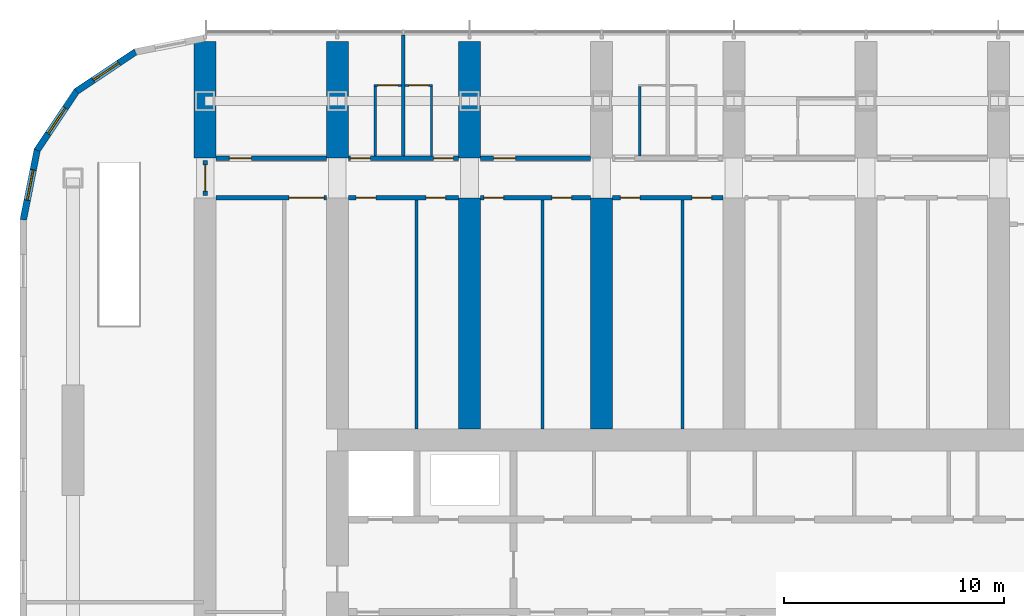
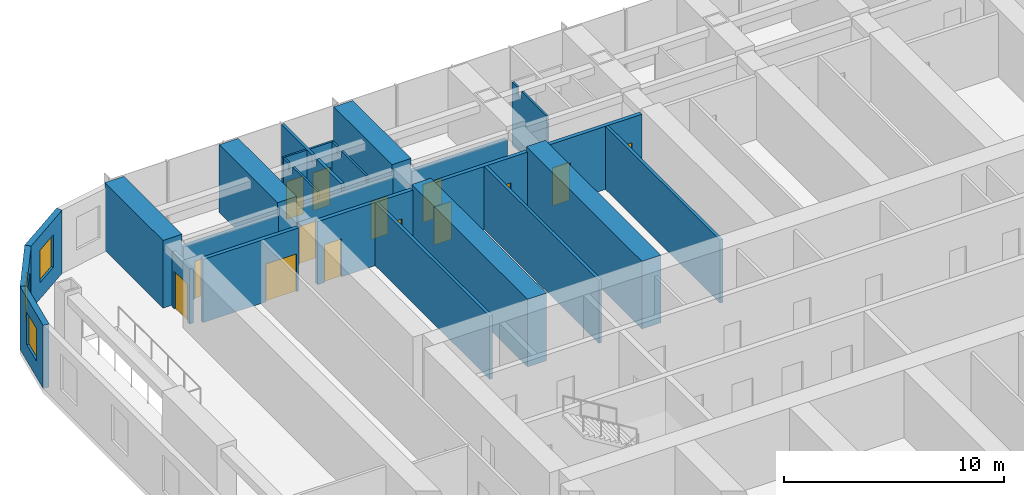
# One storey, part 14 of 22: 25 walls, 14 doors, 3 windows, 17 openings.
"""IFC4 building model written with IfcOpenShell, lengths in metres."""

from ifc_helpers import new_model, si_unit, direction, frame, frame_2d, origin, place, context, subcontext, project, spatial, polyline, rectangle, outline, extrude, material, layer, layer_set, type_object, element, fill, save


model = new_model("IFC4")

# Units and contexts
model_context = context("Model", 3, precision=1e-05, world=origin(), true_north=direction((0.0, 1.0)))
body_context = subcontext(model_context, "Body", "Model", "MODEL_VIEW")
ifc_project = project(units=[si_unit("LENGTHUNIT", "METRE"), si_unit("AREAUNIT", "SQUARE_METRE"), si_unit("VOLUMEUNIT", "CUBIC_METRE"), si_unit("PLANEANGLEUNIT", "RADIAN"), si_unit("MASSUNIT", "GRAM", prefix="KILO")], contexts=[model_context])

# Site, building, storey
site_placement = place(None, origin())
site = spatial("IfcSite", under=ifc_project, at=site_placement, CompositionType="ELEMENT")
building_placement = place(site_placement, origin())
building = spatial("IfcBuilding", under=site, at=building_placement, Name="Orbita Commons", CompositionType="ELEMENT")
storey_placement = place(building_placement, frame((0.0, 0.0, 57.699951171875)))
storey = spatial("IfcBuildingStorey", under=building, at=storey_placement, Name="L14", CompositionType="ELEMENT", Elevation=57.699951171875)

# Wall, opening, door
ifc_material_1 = material(Name="Concrete blockwork", Category="masonry")
ifc_layer_1 = layer(ifc_material_1, 0.199951171875)
ifc_layer_set_1 = layer_set([ifc_layer_1], Name="Concrete blockwork")
wall_type_1 = type_object("IfcWallType", Name="Corridor wall 200 blockwork", PredefinedType="SOLIDWALL", material=ifc_layer_set_1)
wall_1_placement = place(storey_placement, frame((12.5, 51.0, 0.0), z_axis=(0.0, 0.0, 1.0), x_axis=(1.0, 0.0, 0.0)))
wall_1 = element("IfcWall", 1, at=wall_1_placement, inside=storey, type_object=wall_type_1, Name="Corridor wall 200 blockwork L14", PredefinedType="SOLIDWALL", context=body_context, shape_type="SweptSolid", body=[
    extrude(outline(polyline([(0.0, 0.0), (5.0, 0.0), (5.0, 3.10009765625), (0.0, 3.10009765625), (0.0, 0.0)])), frame((0.0, 0.10009765625, 0.0), z_axis=(0.0, -1.0, 0.0), x_axis=(1.0, 0.0, 0.0)), (0.0, 0.0, 1.0), 0.199951171875),
])
opening_1_placement = place(wall_1_placement, frame((0.60009765625, 0.0, 0.0)))
opening_1 = element("IfcOpeningElement", 2, at=opening_1_placement, cuts=wall_1, Name="Opening D06", PredefinedType="OPENING", context=body_context, shape_type="SweptSolid", body=[
    extrude(rectangle(XDim=1.0, YDim=2.10009765625, at=frame_2d((0.5, 1.050048828125))), frame((0.0, 0.10986328125, 0.0), z_axis=(0.0, -1.0, 0.0), x_axis=(1.0, 0.0, 0.0)), (0.0, 0.0, 1.0), 0.219970703125),
])
ifc_material_2 = material(Name="Steel-faced fire door leaf", Category="steel")
door_type_1 = type_object("IfcDoorType", Name="Corridor door 20 min 1000x2100", OperationType="SINGLE_SWING_LEFT", PredefinedType="DOOR", material=ifc_material_2)
door_1_placement = place(opening_1_placement, origin())
door_1 = element("IfcDoor", 3, at=door_1_placement, inside=storey, type_object=door_type_1, Name="House study room L14-N00 door", OperationType="SINGLE_SWING_LEFT", OverallHeight=2.10009765625, OverallWidth=1.0, PredefinedType="DOOR", context=body_context, shape_type="SweptSolid", body=[
    extrude(rectangle(XDim=1.0, YDim=2.10009765625, at=frame_2d((0.5, 1.050048828125))), frame((0.0, 0.02490234375, 0.0), z_axis=(0.0, -1.0, 0.0), x_axis=(1.0, 0.0, 0.0)), (0.0, 0.0, 1.0), 0.050048828125),
])
fill(opening_1, door_1)

# Wall, openings, doors
wall_2_placement = place(storey_placement, frame((18.5, 51.0, 0.0), z_axis=(0.0, 0.0, 1.0), x_axis=(1.0, 0.0, 0.0)))
wall_2 = element("IfcWall", 4, at=wall_2_placement, inside=storey, type_object=wall_type_1, Name="Corridor wall 200 blockwork L14", PredefinedType="SOLIDWALL", context=body_context, shape_type="SweptSolid", body=[
    extrude(outline(polyline([(0.0, 0.0), (5.0, 0.0), (5.0, 3.10009765625), (0.0, 3.10009765625), (0.0, 0.0)])), frame((0.0, 0.10009765625, 0.0), z_axis=(0.0, -1.0, 0.0), x_axis=(1.0, 0.0, 0.0)), (0.0, 0.0, 1.0), 0.199951171875),
])
opening_2_placement = place(wall_2_placement, frame((0.10009765625, 0.0, 0.0)))
opening_2 = element("IfcOpeningElement", 5, at=opening_2_placement, cuts=wall_2, Name="Opening D11", PredefinedType="OPENING", context=body_context, shape_type="SweptSolid", body=[
    extrude(rectangle(XDim=0.89990234375, YDim=2.10009765625, at=frame_2d((0.449951171875, 1.050048828125))), frame((0.0, 0.10986328125, 0.0), z_axis=(0.0, -1.0, 0.0), x_axis=(1.0, 0.0, 0.0)), (0.0, 0.0, 1.0), 0.219970703125),
])
opening_3_placement = place(wall_2_placement, frame((3.875, 0.0, 0.0)))
opening_3 = element("IfcOpeningElement", 6, at=opening_3_placement, cuts=wall_2, Name="Opening D11", PredefinedType="OPENING", context=body_context, shape_type="SweptSolid", body=[
    extrude(rectangle(XDim=0.89990234375, YDim=2.10009765625, at=frame_2d((0.449951171875, 1.050048828125))), frame((0.0, 0.10986328125, 0.0), z_axis=(0.0, -1.0, 0.0), x_axis=(1.0, 0.0, 0.0)), (0.0, 0.0, 1.0), 0.219970703125),
])
ifc_material_3 = material(Name="Steel-faced fire door leaf", Category="steel")
door_type_2 = type_object("IfcDoorType", Name="Corridor door 20 min 900x2100", OperationType="SINGLE_SWING_LEFT", PredefinedType="DOOR", material=ifc_material_3)
door_2_placement = place(opening_2_placement, origin())
door_2 = element("IfcDoor", 7, at=door_2_placement, inside=storey, type_object=door_type_2, Name="House bedroom L14-N02 door", OperationType="SINGLE_SWING_LEFT", OverallHeight=2.10009765625, OverallWidth=0.89990234375, PredefinedType="DOOR", context=body_context, shape_type="SweptSolid", body=[
    extrude(rectangle(XDim=0.89990234375, YDim=2.10009765625, at=frame_2d((0.449951171875, 1.050048828125))), frame((0.0, 0.02490234375, 0.0), z_axis=(0.0, -1.0, 0.0), x_axis=(1.0, 0.0, 0.0)), (0.0, 0.0, 1.0), 0.050048828125),
])
fill(opening_2, door_2)
door_3_placement = place(opening_3_placement, origin())
door_3 = element("IfcDoor", 8, at=door_3_placement, inside=storey, type_object=door_type_2, Name="House bedroom L14-N03 door", OperationType="SINGLE_SWING_LEFT", OverallHeight=2.10009765625, OverallWidth=0.89990234375, PredefinedType="DOOR", context=body_context, shape_type="SweptSolid", body=[
    extrude(rectangle(XDim=0.89990234375, YDim=2.10009765625, at=frame_2d((0.449951171875, 1.050048828125))), frame((0.0, 0.02490234375, 0.0), z_axis=(0.0, -1.0, 0.0), x_axis=(1.0, 0.0, 0.0)), (0.0, 0.0, 1.0), 0.050048828125),
])
fill(opening_3, door_3)

# Wall, opening, door
wall_3_placement = place(storey_placement, frame((24.5, 51.0, 0.0), z_axis=(0.0, 0.0, 1.0), x_axis=(1.0, 0.0, 0.0)))
wall_3 = element("IfcWall", 9, at=wall_3_placement, inside=storey, type_object=wall_type_1, Name="Corridor wall 200 blockwork L14", PredefinedType="SOLIDWALL", context=body_context, shape_type="SweptSolid", body=[
    extrude(outline(polyline([(0.0, 0.0), (5.0, 0.0), (5.0, 3.10009765625), (0.0, 3.10009765625), (0.0, 0.0)])), frame((0.0, 0.10009765625, 0.0), z_axis=(0.0, -1.0, 0.0), x_axis=(1.0, 0.0, 0.0)), (0.0, 0.0, 1.0), 0.199951171875),
])
opening_4_placement = place(wall_3_placement, frame((0.60009765625, 0.0, 0.0)))
opening_4 = element("IfcOpeningElement", 10, at=opening_4_placement, cuts=wall_3, Name="Opening D06", PredefinedType="OPENING", context=body_context, shape_type="SweptSolid", body=[
    extrude(rectangle(XDim=1.0, YDim=2.10009765625, at=frame_2d((0.5, 1.050048828125))), frame((0.0, 0.10986328125, 0.0), z_axis=(0.0, -1.0, 0.0), x_axis=(1.0, 0.0, 0.0)), (0.0, 0.0, 1.0), 0.219970703125),
])
door_4_placement = place(opening_4_placement, origin())
door_4 = element("IfcDoor", 11, at=door_4_placement, inside=storey, type_object=door_type_1, Name="House study room L14-N04 door", OperationType="SINGLE_SWING_LEFT", OverallHeight=2.10009765625, OverallWidth=1.0, PredefinedType="DOOR", context=body_context, shape_type="SweptSolid", body=[
    extrude(rectangle(XDim=1.0, YDim=2.10009765625, at=frame_2d((0.5, 1.050048828125))), frame((0.0, 0.02490234375, 0.0), z_axis=(0.0, -1.0, 0.0), x_axis=(1.0, 0.0, 0.0)), (0.0, 0.0, 1.0), 0.050048828125),
])
fill(opening_4, door_4)

wall_4_placement = place(storey_placement, frame((12.0, 49.300048828125, 0.0), z_axis=(0.0, 0.0, 1.0), x_axis=(0.0, 1.0, 0.0)))
wall_4 = element("IfcWall", 12, at=wall_4_placement, inside=storey, type_object=wall_type_1, Name="Corridor wall 200 blockwork L14", PredefinedType="SOLIDWALL", context=body_context, shape_type="SweptSolid", body=[
    extrude(outline(polyline([(0.0, 0.0), (1.599853515625, 0.0), (1.60009765625, 3.050048828125), (0.0, 3.050048828125), (0.0, 0.0)])), frame((0.0, 0.10009765625, 0.0), z_axis=(0.0, -1.0, 0.0), x_axis=(1.0, 0.0, 0.0)), (0.0, 0.0, 1.0), 0.199951171875),
])
opening_5_placement = place(wall_4_placement, frame((0.199951171875, 0.0, 0.0)))
opening_5 = element("IfcOpeningElement", 13, at=opening_5_placement, cuts=wall_4, Name="Opening D12", PredefinedType="OPENING", context=body_context, shape_type="SweptSolid", body=[
    extrude(rectangle(XDim=1.199951171875, YDim=2.10009765625, at=frame_2d((0.60009765625, 1.050048828125))), frame((0.0, 0.10986328125, 0.0), z_axis=(0.0, -1.0, 0.0), x_axis=(1.0, 0.0, 0.0)), (0.0, 0.0, 1.0), 0.219970703125),
])
ifc_material_4 = material(Name="Steel-faced fire door leaf", Category="steel")
door_type_3 = type_object("IfcDoorType", Name="Double corridor door 20 min 1200x2100", OperationType="DOUBLE_DOOR_SINGLE_SWING", PredefinedType="DOOR", material=ifc_material_4)
door_5_placement = place(opening_5_placement, origin())
door_5 = element("IfcDoor", 14, at=door_5_placement, inside=storey, type_object=door_type_3, Name="Lounge doors", OperationType="DOUBLE_DOOR_SINGLE_SWING", OverallHeight=2.10009765625, OverallWidth=1.199951171875, PredefinedType="DOOR", context=body_context, shape_type="SweptSolid", body=[
    extrude(rectangle(XDim=1.199951171875, YDim=2.10009765625, at=frame_2d((0.60009765625, 1.050048828125))), frame((0.0, 0.02490234375, 0.0), z_axis=(0.0, -1.0, 0.0), x_axis=(1.0, 0.0, 0.0)), (0.0, 0.0, 1.0), 0.050048828125),
])
fill(opening_5, door_5)

ifc_material_5 = material(Name="Hollow concrete block 200", Category="concrete")
ifc_layer_2 = layer(ifc_material_5, 0.199951171875)
ifc_layer_set_2 = layer_set([ifc_layer_2], Name="Hollow concrete block 200")
wall_type_2 = type_object("IfcWallType", Name="Corridor wall 200 hollow concrete block", PredefinedType="SOLIDWALL", material=ifc_layer_set_2)
wall_5_placement = place(storey_placement, frame((12.5, 49.199951171875, 0.0), z_axis=(0.0, 0.0, 1.0), x_axis=(1.0, 0.0, 0.0)))
wall_5 = element("IfcWall", 15, at=wall_5_placement, inside=storey, type_object=wall_type_2, Name="Corridor wall 200 hollow concrete block L14", PredefinedType="SOLIDWALL", context=body_context, shape_type="SweptSolid", body=[
    extrude(rectangle(XDim=5.0, YDim=0.199951171875, at=frame_2d((2.5, 0.0))), origin(), (0.0, 0.0, 1.0), 3.5),
])
opening_6_placement = place(wall_5_placement, frame((3.300048828125, 0.0, 0.0)))
opening_6 = element("IfcOpeningElement", 16, at=opening_6_placement, cuts=wall_5, Name="Opening D10", PredefinedType="OPENING", context=body_context, shape_type="SweptSolid", body=[
    extrude(rectangle(XDim=1.60009765625, YDim=2.10009765625, at=frame_2d((0.800048828125, 1.050048828125))), frame((0.0, 0.10986328125, 0.0), z_axis=(0.0, -1.0, 0.0), x_axis=(1.0, 0.0, 0.0)), (0.0, 0.0, 1.0), 0.219970703125),
])
ifc_material_6 = material(Name="Steel-faced fire door leaf", Category="steel")
door_type_4 = type_object("IfcDoorType", Name="Double corridor door 20 min 1600x2100", OperationType="DOUBLE_DOOR_SINGLE_SWING", PredefinedType="DOOR", material=ifc_material_6)
door_6_placement = place(opening_6_placement, origin())
door_6 = element("IfcDoor", 17, at=door_6_placement, inside=storey, type_object=door_type_4, Name="Cross corridor doors", OperationType="DOUBLE_DOOR_SINGLE_SWING", OverallHeight=2.10009765625, OverallWidth=1.60009765625, PredefinedType="DOOR", context=body_context, shape_type="SweptSolid", body=[
    extrude(rectangle(XDim=1.60009765625, YDim=2.10009765625, at=frame_2d((0.800048828125, 1.050048828125))), frame((0.0, 0.02490234375, 0.0), z_axis=(0.0, -1.0, 0.0), x_axis=(1.0, 0.0, 0.0)), (0.0, 0.0, 1.0), 0.050048828125),
])
fill(opening_6, door_6)

# Wall, openings, doors
wall_6_placement = place(storey_placement, frame((18.5, 49.199951171875, 0.0), z_axis=(0.0, 0.0, 1.0), x_axis=(1.0, 0.0, 0.0)))
wall_6 = element("IfcWall", 18, at=wall_6_placement, inside=storey, type_object=wall_type_2, Name="Corridor wall 200 hollow concrete block L14", PredefinedType="SOLIDWALL", context=body_context, shape_type="SweptSolid", body=[
    extrude(rectangle(XDim=5.0, YDim=0.199951171875, at=frame_2d((2.5, 0.0))), origin(), (0.0, 0.0, 1.0), 3.5),
])
opening_7_placement = place(wall_6_placement, frame((0.35009765625, 0.0, 0.0)))
opening_7 = element("IfcOpeningElement", 19, at=opening_7_placement, cuts=wall_6, Name="Opening D11", PredefinedType="OPENING", context=body_context, shape_type="SweptSolid", body=[
    extrude(rectangle(XDim=0.89990234375, YDim=2.10009765625, at=frame_2d((0.449951171875, 1.050048828125))), frame((0.0, 0.10986328125, 0.0), z_axis=(0.0, -1.0, 0.0), x_axis=(1.0, 0.0, 0.0)), (0.0, 0.0, 1.0), 0.219970703125),
])
opening_8_placement = place(wall_6_placement, frame((3.52001953125, 0.0, 0.0)))
opening_8 = element("IfcOpeningElement", 20, at=opening_8_placement, cuts=wall_6, Name="Opening D11", PredefinedType="OPENING", context=body_context, shape_type="SweptSolid", body=[
    extrude(rectangle(XDim=0.89990234375, YDim=2.10009765625, at=frame_2d((0.449951171875, 1.050048828125))), frame((0.0, 0.10986328125, 0.0), z_axis=(0.0, -1.0, 0.0), x_axis=(1.0, 0.0, 0.0)), (0.0, 0.0, 1.0), 0.219970703125),
])
door_7_placement = place(opening_7_placement, origin())
door_7 = element("IfcDoor", 21, at=door_7_placement, inside=storey, type_object=door_type_2, Name="Parcel and post room L14-BDN18 door", OperationType="SINGLE_SWING_LEFT", OverallHeight=2.10009765625, OverallWidth=0.89990234375, PredefinedType="DOOR", context=body_context, shape_type="SweptSolid", body=[
    extrude(rectangle(XDim=0.89990234375, YDim=2.10009765625, at=frame_2d((0.449951171875, 1.050048828125))), frame((0.0, 0.02490234375, 0.0), z_axis=(0.0, -1.0, 0.0), x_axis=(1.0, 0.0, 0.0)), (0.0, 0.0, 1.0), 0.050048828125),
])
fill(opening_7, door_7)
door_8_placement = place(opening_8_placement, origin())
door_8 = element("IfcDoor", 22, at=door_8_placement, inside=storey, type_object=door_type_2, Name="Water heater cupboard L14-BDN18n door", OperationType="SINGLE_SWING_LEFT", OverallHeight=2.10009765625, OverallWidth=0.89990234375, PredefinedType="DOOR", context=body_context, shape_type="SweptSolid", body=[
    extrude(rectangle(XDim=0.89990234375, YDim=2.10009765625, at=frame_2d((0.449951171875, 1.050048828125))), frame((0.0, 0.02490234375, 0.0), z_axis=(0.0, -1.0, 0.0), x_axis=(1.0, 0.0, 0.0)), (0.0, 0.0, 1.0), 0.050048828125),
])
fill(opening_8, door_8)

wall_7_placement = place(storey_placement, frame((24.5, 49.199951171875, 0.0), z_axis=(0.0, 0.0, 1.0), x_axis=(1.0, 0.0, 0.0)))
wall_7 = element("IfcWall", 23, at=wall_7_placement, inside=storey, type_object=wall_type_2, Name="Corridor wall 200 hollow concrete block L14", PredefinedType="SOLIDWALL", context=body_context, shape_type="SweptSolid", body=[
    extrude(rectangle(XDim=5.0, YDim=0.199951171875, at=frame_2d((2.5, 0.0))), origin(), (0.0, 0.0, 1.0), 3.5),
])
opening_9_placement = place(wall_7_placement, frame((0.14990234375, 0.0, 0.0)))
opening_9 = element("IfcOpeningElement", 24, at=opening_9_placement, cuts=wall_7, Name="Opening D11", PredefinedType="OPENING", context=body_context, shape_type="SweptSolid", body=[
    extrude(rectangle(XDim=0.89990234375, YDim=2.10009765625, at=frame_2d((0.449951171875, 1.050048828125))), frame((0.0, 0.10986328125, 0.0), z_axis=(0.0, -1.0, 0.0), x_axis=(1.0, 0.0, 0.0)), (0.0, 0.0, 1.0), 0.219970703125),
])
opening_10_placement = place(wall_7_placement, frame((3.235107421875, 0.0, 0.0)))
opening_10 = element("IfcOpeningElement", 25, at=opening_10_placement, cuts=wall_7, Name="Opening D11", PredefinedType="OPENING", context=body_context, shape_type="SweptSolid", body=[
    extrude(rectangle(XDim=0.89990234375, YDim=2.10009765625, at=frame_2d((0.449951171875, 1.050048828125))), frame((0.0, 0.10986328125, 0.0), z_axis=(0.0, -1.0, 0.0), x_axis=(1.0, 0.0, 0.0)), (0.0, 0.0, 1.0), 0.219970703125),
])
door_9_placement = place(opening_9_placement, origin())
door_9 = element("IfcDoor", 26, at=door_9_placement, inside=storey, type_object=door_type_2, Name="Cleaners store L14-BDN24 door", OperationType="SINGLE_SWING_LEFT", OverallHeight=2.10009765625, OverallWidth=0.89990234375, PredefinedType="DOOR", context=body_context, shape_type="SweptSolid", body=[
    extrude(rectangle(XDim=0.89990234375, YDim=2.10009765625, at=frame_2d((0.449951171875, 1.050048828125))), frame((0.0, 0.02490234375, 0.0), z_axis=(0.0, -1.0, 0.0), x_axis=(1.0, 0.0, 0.0)), (0.0, 0.0, 1.0), 0.050048828125),
])
fill(opening_9, door_9)
door_10_placement = place(opening_10_placement, origin())
door_10 = element("IfcDoor", 27, at=door_10_placement, inside=storey, type_object=door_type_2, Name="Equipment store L14-BDN24n door", OperationType="SINGLE_SWING_LEFT", OverallHeight=2.10009765625, OverallWidth=0.89990234375, PredefinedType="DOOR", context=body_context, shape_type="SweptSolid", body=[
    extrude(rectangle(XDim=0.89990234375, YDim=2.10009765625, at=frame_2d((0.449951171875, 1.050048828125))), frame((0.0, 0.02490234375, 0.0), z_axis=(0.0, -1.0, 0.0), x_axis=(1.0, 0.0, 0.0)), (0.0, 0.0, 1.0), 0.050048828125),
])
fill(opening_10, door_10)

wall_8_placement = place(storey_placement, frame((30.5, 49.199951171875, 0.0), z_axis=(0.0, 0.0, 1.0), x_axis=(1.0, 0.0, 0.0)))
wall_8 = element("IfcWall", 28, at=wall_8_placement, inside=storey, type_object=wall_type_2, Name="Corridor wall 200 hollow concrete block L14", PredefinedType="SOLIDWALL", context=body_context, shape_type="SweptSolid", body=[
    extrude(rectangle(XDim=5.0, YDim=0.199951171875, at=frame_2d((2.5, 0.0))), origin(), (0.0, 0.0, 1.0), 3.5),
])
opening_11_placement = place(wall_8_placement, frame((0.35009765625, 0.0, 0.0)))
opening_11 = element("IfcOpeningElement", 29, at=opening_11_placement, cuts=wall_8, Name="Opening D11", PredefinedType="OPENING", context=body_context, shape_type="SweptSolid", body=[
    extrude(rectangle(XDim=0.89990234375, YDim=2.10009765625, at=frame_2d((0.449951171875, 1.050048828125))), frame((0.0, 0.10986328125, 0.0), z_axis=(0.0, -1.0, 0.0), x_axis=(1.0, 0.0, 0.0)), (0.0, 0.0, 1.0), 0.219970703125),
])
opening_12_placement = place(wall_8_placement, frame((3.590087890625, 0.0, 0.0)))
opening_12 = element("IfcOpeningElement", 30, at=opening_12_placement, cuts=wall_8, Name="Opening D11", PredefinedType="OPENING", context=body_context, shape_type="SweptSolid", body=[
    extrude(rectangle(XDim=0.89990234375, YDim=2.10009765625, at=frame_2d((0.449951171875, 1.050048828125))), frame((0.0, 0.10986328125, 0.0), z_axis=(0.0, -1.0, 0.0), x_axis=(1.0, 0.0, 0.0)), (0.0, 0.0, 1.0), 0.219970703125),
])
door_11_placement = place(opening_11_placement, origin())
door_11 = element("IfcDoor", 31, at=door_11_placement, inside=storey, type_object=door_type_2, Name="IT and print room L14-BDN30 door", OperationType="SINGLE_SWING_LEFT", OverallHeight=2.10009765625, OverallWidth=0.89990234375, PredefinedType="DOOR", context=body_context, shape_type="SweptSolid", body=[
    extrude(rectangle(XDim=0.89990234375, YDim=2.10009765625, at=frame_2d((0.449951171875, 1.050048828125))), frame((0.0, 0.02490234375, 0.0), z_axis=(0.0, -1.0, 0.0), x_axis=(1.0, 0.0, 0.0)), (0.0, 0.0, 1.0), 0.050048828125),
])
fill(opening_11, door_11)
door_12_placement = place(opening_12_placement, origin())
door_12 = element("IfcDoor", 32, at=door_12_placement, inside=storey, type_object=door_type_2, Name="Battery and UPS room L14-BDN30n door", OperationType="SINGLE_SWING_LEFT", OverallHeight=2.10009765625, OverallWidth=0.89990234375, PredefinedType="DOOR", context=body_context, shape_type="SweptSolid", body=[
    extrude(rectangle(XDim=0.89990234375, YDim=2.10009765625, at=frame_2d((0.449951171875, 1.050048828125))), frame((0.0, 0.02490234375, 0.0), z_axis=(0.0, -1.0, 0.0), x_axis=(1.0, 0.0, 0.0)), (0.0, 0.0, 1.0), 0.050048828125),
])
fill(opening_12, door_12)

# Walls
ifc_material_7 = material(Name="Concrete C50/60", Category="concrete")
ifc_layer_3 = layer(ifc_material_7, 1.0)
ifc_layer_set_3 = layer_set([ifc_layer_3], Name="Concrete C50/60")
wall_type_3 = type_object("IfcWallType", Name="Cross wall 1000 C50/60", PredefinedType="SHEAR", material=ifc_layer_set_3)
for number, where, z_axis, x_axis, name in (
    (33, (12.0, 51.0, 0.0), (0.0, 0.0, 1.0), (0.0, 1.0, 0.0), "Cross wall 3 north outer L14"),
    (34, (18.0, 51.0, 0.0), (0.0, 0.0, 1.0), (0.0, 1.0, 0.0), "Cross wall 4 north outer L14"),
    (35, (24.0, 51.0, 0.0), (0.0, 0.0, 1.0), (0.0, 1.0, 0.0), "Cross wall 5 north outer L14"),
):
    element("IfcWall", number, at=place(storey_placement, frame(where, z_axis=z_axis, x_axis=x_axis)), inside=storey, type_object=wall_type_3, Name=name, PredefinedType="SHEAR", context=body_context, shape_type="SweptSolid", body=[
        extrude(rectangle(XDim=5.300048828125, YDim=1.0, at=frame_2d((2.64990234375, 0.0))), origin(), (0.0, 0.0, 1.0), 3.75),
    ])
for number, where, z_axis, x_axis, name in (
    (36, (24.0, 38.699951171875, 0.0), (0.0, 0.0, 1.0), (0.0, 1.0, 0.0), "Cross wall 5 north inner L14"),
    (37, (30.0, 38.699951171875, 0.0), (0.0, 0.0, 1.0), (0.0, 1.0, 0.0), "Cross wall 6 north inner L14"),
):
    element("IfcWall", number, at=place(storey_placement, frame(where, z_axis=z_axis, x_axis=x_axis)), inside=storey, type_object=wall_type_3, Name=name, PredefinedType="SHEAR", context=body_context, shape_type="SweptSolid", body=[
        extrude(rectangle(XDim=10.5, YDim=1.0, at=frame_2d((5.25, 0.0))), origin(), (0.0, 0.0, 1.0), 3.75),
    ])

# Wall, opening, door
ifc_material_8 = material(Name="Moisture-resistant plasterboard on steel studs", Category="steel")
ifc_layer_4 = layer(ifc_material_8, 0.10009765625)
ifc_layer_set_4 = layer_set([ifc_layer_4], Name="Moisture-resistant plasterboard on steel studs")
wall_type_4 = type_object("IfcWallType", Name="En-suite partition 100", PredefinedType="PARTITIONING", material=ifc_layer_set_4)
wall_9_placement = place(storey_placement, frame((19.675048828125, 54.300048828125, 0.0), z_axis=(0.0, 0.0, 1.0), x_axis=(1.0, 0.0, 0.0)))
wall_9 = element("IfcWall", 38, at=wall_9_placement, inside=storey, type_object=wall_type_4, Name="En-suite partition 100 L14", PredefinedType="PARTITIONING", context=body_context, shape_type="SweptSolid", body=[
    extrude(rectangle(XDim=1.25, YDim=0.10009765625, at=frame_2d((0.625, 0.0))), origin(), (0.0, 0.0, 1.0), 3.5),
])
opening_13_placement = place(wall_9_placement, frame((0.175048828125, 0.0, 0.0)))
opening_13 = element("IfcOpeningElement", 39, at=opening_13_placement, cuts=wall_9, Name="Opening D09", PredefinedType="OPENING", context=body_context, shape_type="SweptSolid", body=[
    extrude(rectangle(XDim=0.89990234375, YDim=2.10009765625, at=frame_2d((0.449951171875, 1.050048828125))), frame((0.0, 0.06005859375, 0.0), z_axis=(0.0, -1.0, 0.0), x_axis=(1.0, 0.0, 0.0)), (0.0, 0.0, 1.0), 0.1201171875),
])
ifc_material_9 = material(Name="Laminated timber door leaf", Category="wood")
door_type_5 = type_object("IfcDoorType", Name="En-suite door 900x2100", OperationType="SINGLE_SWING_RIGHT", PredefinedType="DOOR", material=ifc_material_9)
door_13_placement = place(opening_13_placement, origin())
door_13 = element("IfcDoor", 40, at=door_13_placement, inside=storey, type_object=door_type_5, Name="En-suite L14-N02 door", OperationType="SINGLE_SWING_RIGHT", OverallHeight=2.10009765625, OverallWidth=0.89990234375, PredefinedType="DOOR", context=body_context, shape_type="SweptSolid", body=[
    extrude(rectangle(XDim=0.89990234375, YDim=2.10009765625, at=frame_2d((0.449951171875, 1.050048828125))), frame((0.0, 0.02490234375, 0.0), z_axis=(0.0, -1.0, 0.0), x_axis=(1.0, 0.0, 0.0)), (0.0, 0.0, 1.0), 0.050048828125),
])
fill(opening_13, door_13)

# Wall
wall_10_placement = place(storey_placement, frame((19.72509765625, 54.25, 0.0), z_axis=(0.0, 0.0, 1.0), x_axis=(0.0, -1.0, 0.0)))
element("IfcWall", 41, at=wall_10_placement, inside=storey, type_object=wall_type_4, Name="En-suite partition 100 L14", PredefinedType="PARTITIONING", context=body_context, shape_type="SweptSolid", body=[
    extrude(outline(polyline([(0.0, 0.0), (3.14990234375, 0.0), (3.14990234375, 3.10009765625), (3.10205078125, 3.10009765625), (3.10009765625, 3.5), (0.85205078125, 3.5), (0.85009765625, 3.10009765625), (0.451904296875, 3.10009765625), (0.449951171875, 3.5), (0.0, 3.5), (0.0, 0.0)])), frame((0.0, 0.050048828125, 0.0), z_axis=(0.0, -1.0, 0.0), x_axis=(1.0, 0.0, 0.0)), (0.0, 0.0, 1.0), 0.10009765625),
])

# Wall, opening, door
wall_11_placement = place(storey_placement, frame((21.074951171875, 54.300048828125, 0.0), z_axis=(0.0, 0.0, 1.0), x_axis=(1.0, 0.0, 0.0)))
wall_11 = element("IfcWall", 42, at=wall_11_placement, inside=storey, type_object=wall_type_4, Name="En-suite partition 100 L14", PredefinedType="PARTITIONING", context=body_context, shape_type="SweptSolid", body=[
    extrude(rectangle(XDim=1.25, YDim=0.10009765625, at=frame_2d((0.625, 0.0))), origin(), (0.0, 0.0, 1.0), 3.5),
])
opening_14_placement = place(wall_11_placement, frame((0.175048828125, 0.0, 0.0)))
opening_14 = element("IfcOpeningElement", 43, at=opening_14_placement, cuts=wall_11, Name="Opening D09", PredefinedType="OPENING", context=body_context, shape_type="SweptSolid", body=[
    extrude(rectangle(XDim=0.89990234375, YDim=2.10009765625, at=frame_2d((0.449951171875, 1.050048828125))), frame((0.0, 0.06005859375, 0.0), z_axis=(0.0, -1.0, 0.0), x_axis=(1.0, 0.0, 0.0)), (0.0, 0.0, 1.0), 0.1201171875),
])
door_14_placement = place(opening_14_placement, origin())
door_14 = element("IfcDoor", 44, at=door_14_placement, inside=storey, type_object=door_type_5, Name="En-suite L14-N03 door", OperationType="SINGLE_SWING_RIGHT", OverallHeight=2.10009765625, OverallWidth=0.89990234375, PredefinedType="DOOR", context=body_context, shape_type="SweptSolid", body=[
    extrude(rectangle(XDim=0.89990234375, YDim=2.10009765625, at=frame_2d((0.449951171875, 1.050048828125))), frame((0.0, 0.02490234375, 0.0), z_axis=(0.0, -1.0, 0.0), x_axis=(1.0, 0.0, 0.0)), (0.0, 0.0, 1.0), 0.050048828125),
])
fill(opening_14, door_14)

# Walls
for number, where, z_axis, x_axis, name in (
    (45, (22.27490234375, 54.25, 0.0), (0.0, 0.0, 1.0), (0.0, -1.0, 0.0), "En-suite partition 100 L14"),
    (46, (31.72509765625, 54.25, 0.0), (0.0, 0.0, 1.0), (0.0, -1.0, 0.0), "En-suite partition 100 L14"),
):
    element("IfcWall", number, at=place(storey_placement, frame(where, z_axis=z_axis, x_axis=x_axis)), inside=storey, type_object=wall_type_4, Name=name, PredefinedType="PARTITIONING", context=body_context, shape_type="SweptSolid", body=[
        extrude(outline(polyline([(0.0, 0.0), (3.14990234375, 0.0), (3.14990234375, 3.10009765625), (3.10205078125, 3.10009765625), (3.10009765625, 3.5), (0.85205078125, 3.5), (0.85009765625, 3.10009765625), (0.451904296875, 3.10009765625), (0.449951171875, 3.5), (0.0, 3.5), (0.0, 0.0)])), frame((0.0, 0.050048828125, 0.0), z_axis=(0.0, -1.0, 0.0), x_axis=(1.0, 0.0, 0.0)), (0.0, 0.0, 1.0), 0.10009765625),
    ])
ifc_material_10 = material(Name="Gypsum plasterboard on steel studs", Category="steel")
ifc_layer_5 = layer(ifc_material_10, 0.14990234375)
ifc_layer_set_5 = layer_set([ifc_layer_5], Name="Gypsum plasterboard on steel studs")
wall_type_5 = type_object("IfcWallType", Name="Partition 150 plasterboard", PredefinedType="PARTITIONING", material=ifc_layer_set_5)
for number, where, z_axis, x_axis, name in (
    (47, (21.594970703125, 38.699951171875, 0.0), (0.0, 0.0, 1.0), (0.0, 1.0, 0.0), "Partition 150 plasterboard L14"),
    (48, (27.31005859375, 38.699951171875, 0.0), (0.0, 0.0, 1.0), (0.0, 1.0, 0.0), "Partition 150 plasterboard L14"),
    (49, (33.6650390625, 38.699951171875, 0.0), (0.0, 0.0, 1.0), (0.0, 1.0, 0.0), "Partition 150 plasterboard L14"),
):
    element("IfcWall", number, at=place(storey_placement, frame(where, z_axis=z_axis, x_axis=x_axis)), inside=storey, type_object=wall_type_5, Name=name, PredefinedType="PARTITIONING", context=body_context, shape_type="SweptSolid", body=[
        extrude(rectangle(XDim=10.400146484375, YDim=0.14990234375, at=frame_2d((5.2001953125, 0.0))), origin(), (0.0, 0.0, 1.0), 3.5),
    ])
ifc_material_11 = material(Name="Gypsum plasterboard on steel studs", Category="steel")
ifc_layer_6 = layer(ifc_material_11, 0.14990234375)
ifc_layer_set_6 = layer_set([ifc_layer_6], Name="Gypsum plasterboard on steel studs")
wall_type_6 = type_object("IfcWallType", Name="Party wall 150 plasterboard", PredefinedType="PARTITIONING", material=ifc_layer_set_6)
wall_12_placement = place(storey_placement, frame((21.0, 56.590087890625, 0.0), z_axis=(0.0, 0.0, 1.0), x_axis=(0.0, -1.0, 0.0)))
element("IfcWall", 50, at=wall_12_placement, inside=storey, type_object=wall_type_6, Name="Party wall 150 plasterboard L14", PredefinedType="PARTITIONING", context=body_context, shape_type="SweptSolid", body=[
    extrude(outline(polyline([(0.0, 0.0), (5.489990234375, 0.0), (5.489990234375, 3.10009765625), (5.44189453125, 3.10009765625), (5.43994140625, 3.5), (3.19189453125, 3.5), (3.18994140625, 3.10009765625), (2.7919921875, 3.10009765625), (2.7900390625, 3.5), (0.0, 3.5), (0.0, 0.0)])), frame((0.0, 0.074951171875, 0.0), z_axis=(0.0, -1.0, 0.0), x_axis=(1.0, 0.0, 0.0)), (0.0, 0.0, 1.0), 0.14990234375),
])

# Wall, opening, window
ifc_material_12 = material(Name="Precast concrete C40/50, white board-marked finish", Category="concrete")
ifc_layer_7 = layer(ifc_material_12, 0.300048828125)
ifc_layer_set_7 = layer_set([ifc_layer_7], Name="Precast concrete C40/50, white board-marked finish")
wall_type_7 = type_object("IfcWallType", Name="Precast concrete end shield 300", PredefinedType="SOLIDWALL", material=ifc_layer_set_7)
wall_13_placement = place(storey_placement, frame((8.843017578125, 55.822021484375, 0.0), z_axis=(0.0, 0.0, 1.0), x_axis=(-0.831478105043, -0.555557522525, 0.0)))
wall_13 = element("IfcWall", 51, at=wall_13_placement, inside=storey, type_object=wall_type_7, Name="End shield NW chord 2 L14", PredefinedType="SOLIDWALL", context=body_context, shape_type="SweptSolid", body=[
    extrude(outline(polyline([(-0.02978515625, -0.14990234375), (3.248779296875, -0.14990234375), (3.189208984375, 0.14990234375), (0.02978515625, 0.14990234375), (-0.02978515625, -0.14990234375)])), origin(), (0.0, 0.0, 1.0), 3.5),
])
opening_15_placement = place(wall_13_placement, frame((0.909423828125, 0.0, 0.89990234375)))
opening_15 = element("IfcOpeningElement", 52, at=opening_15_placement, cuts=wall_13, Name="Opening W02", PredefinedType="OPENING", context=body_context, shape_type="SweptSolid", body=[
    extrude(rectangle(XDim=1.39990234375, YDim=1.800048828125, at=frame_2d((0.699951171875, 0.89990234375))), frame((0.0, 0.159912109375, 0.0), z_axis=(0.0, -1.0, 0.0), x_axis=(1.0, 0.0, 0.0)), (0.0, 0.0, 1.0), 0.320068359375),
])
ifc_material_13 = material(Name="Aluminium frame, clear double glazing", Category="aluminium")
window_type = type_object("IfcWindowType", Name="Deep-set window 1400x1800", PartitioningType="SINGLE_PANEL", PredefinedType="WINDOW", material=ifc_material_13)
window_1_placement = place(opening_15_placement, origin())
window_1 = element("IfcWindow", 53, at=window_1_placement, inside=storey, type_object=window_type, Name="Window L14-NW1", OverallHeight=1.800048828125, OverallWidth=1.39990234375, PartitioningType="SINGLE_PANEL", PredefinedType="WINDOW", context=body_context, shape_type="SweptSolid", body=[
    extrude(rectangle(XDim=1.39990234375, YDim=1.800048828125, at=frame_2d((0.699951171875, 0.89990234375))), frame((0.0, 0.030029296875, 0.0), z_axis=(0.0, -1.0, 0.0), x_axis=(1.0, 0.0, 0.0)), (0.0, 0.0, 1.0), 0.06005859375),
])
fill(opening_15, window_1)

wall_14_placement = place(storey_placement, frame((6.16650390625, 54.03369140625, 0.0), z_axis=(0.0, 0.0, 1.0), x_axis=(-0.555609954424, -0.831443069936, 0.0)))
wall_14 = element("IfcWall", 54, at=wall_14_placement, inside=storey, type_object=wall_type_7, Name="End shield NW chord 3 L14", PredefinedType="SOLIDWALL", context=body_context, shape_type="SweptSolid", body=[
    extrude(outline(polyline([(-0.02978515625, -0.14990234375), (3.2490234375, -0.14990234375), (3.189453125, 0.14990234375), (0.02978515625, 0.14990234375), (-0.02978515625, -0.14990234375)])), origin(), (0.0, 0.0, 1.0), 3.5),
])
opening_16_placement = place(wall_14_placement, frame((0.909423828125, 0.0, 0.89990234375)))
opening_16 = element("IfcOpeningElement", 55, at=opening_16_placement, cuts=wall_14, Name="Opening W02", PredefinedType="OPENING", context=body_context, shape_type="SweptSolid", body=[
    extrude(rectangle(XDim=1.39990234375, YDim=1.800048828125, at=frame_2d((0.699951171875, 0.89990234375))), frame((0.0, 0.159912109375, 0.0), z_axis=(0.0, -1.0, 0.0), x_axis=(1.0, 0.0, 0.0)), (0.0, 0.0, 1.0), 0.320068359375),
])
window_2_placement = place(opening_16_placement, origin())
window_2 = element("IfcWindow", 56, at=window_2_placement, inside=storey, type_object=window_type, Name="Window L14-NW2", OverallHeight=1.800048828125, OverallWidth=1.39990234375, PartitioningType="SINGLE_PANEL", PredefinedType="WINDOW", context=body_context, shape_type="SweptSolid", body=[
    extrude(rectangle(XDim=1.39990234375, YDim=1.800048828125, at=frame_2d((0.699951171875, 0.89990234375))), frame((0.0, 0.030029296875, 0.0), z_axis=(0.0, -1.0, 0.0), x_axis=(1.0, 0.0, 0.0)), (0.0, 0.0, 1.0), 0.06005859375),
])
fill(opening_16, window_2)

wall_15_placement = place(storey_placement, frame((4.3779296875, 51.357177734375, 0.0), z_axis=(0.0, 0.0, 1.0), x_axis=(-0.195065901187, -0.980790137692, 0.0)))
wall_15 = element("IfcWall", 57, at=wall_15_placement, inside=storey, type_object=wall_type_7, Name="End shield NW chord 4 L14", PredefinedType="SOLIDWALL", context=body_context, shape_type="SweptSolid", body=[
    extrude(outline(polyline([(-0.02978515625, -0.14990234375), (3.23388671875, -0.14990234375), (3.2041015625, 0.14990234375), (0.02978515625, 0.14990234375), (-0.02978515625, -0.14990234375)])), origin(), (0.0, 0.0, 1.0), 3.5),
])
opening_17_placement = place(wall_15_placement, frame((0.909423828125, 0.0, 0.89990234375)))
opening_17 = element("IfcOpeningElement", 58, at=opening_17_placement, cuts=wall_15, Name="Opening W02", PredefinedType="OPENING", context=body_context, shape_type="SweptSolid", body=[
    extrude(rectangle(XDim=1.39990234375, YDim=1.800048828125, at=frame_2d((0.699951171875, 0.89990234375))), frame((0.0, 0.159912109375, 0.0), z_axis=(0.0, -1.0, 0.0), x_axis=(1.0, 0.0, 0.0)), (0.0, 0.0, 1.0), 0.320068359375),
])
window_3_placement = place(opening_17_placement, origin())
window_3 = element("IfcWindow", 59, at=window_3_placement, inside=storey, type_object=window_type, Name="Window L14-NW3", OverallHeight=1.800048828125, OverallWidth=1.39990234375, PartitioningType="SINGLE_PANEL", PredefinedType="WINDOW", context=body_context, shape_type="SweptSolid", body=[
    extrude(rectangle(XDim=1.39990234375, YDim=1.800048828125, at=frame_2d((0.699951171875, 0.89990234375))), frame((0.0, 0.030029296875, 0.0), z_axis=(0.0, -1.0, 0.0), x_axis=(1.0, 0.0, 0.0)), (0.0, 0.0, 1.0), 0.06005859375),
])
fill(opening_17, window_3)

save(model, "model.ifc")
